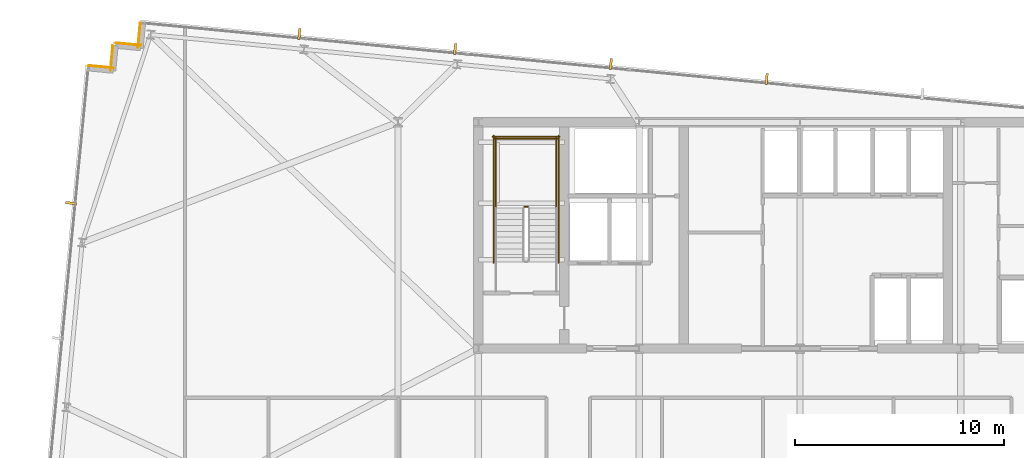
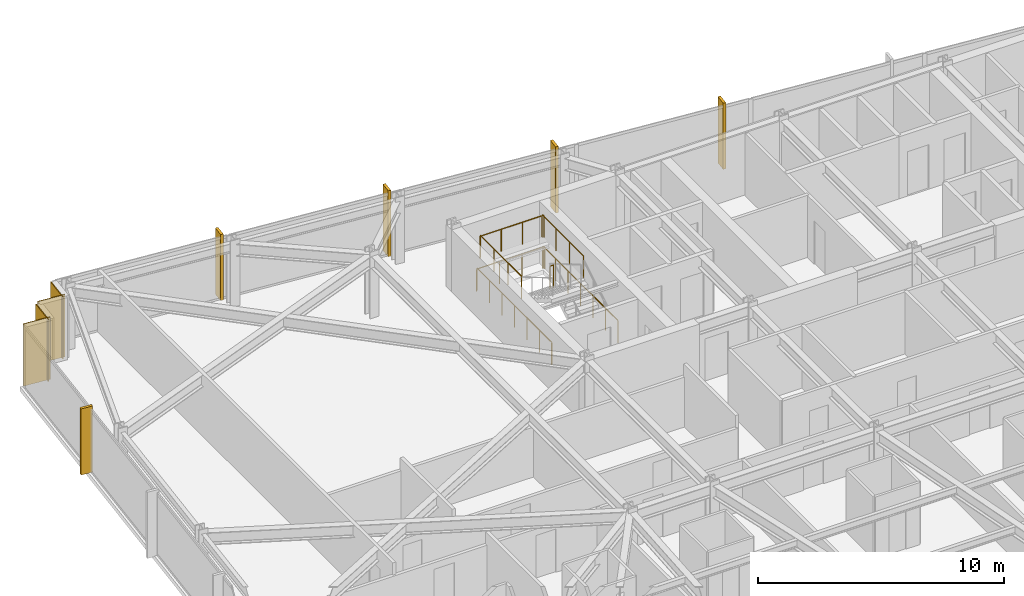
# One storey, part 36 of 37: 7 railings, 5 shading devices, 4 coverings.
"""IFC4 building model written with IfcOpenShell, lengths in metres."""

from ifc_helpers import new_model, si_unit, direction, frame, frame_2d, origin, origin_2d, place, context, subcontext, project, spatial, rectangle, circle, extrude, material, layer, layer_set, type_object, element, save


model = new_model("IFC4")

# Units and contexts
model_context = context("Model", 3, precision=1e-05, world=origin(), true_north=direction((0.0, 1.0)))
body_context = subcontext(model_context, "Body", "Model", "MODEL_VIEW")
ifc_project = project(units=[si_unit("LENGTHUNIT", "METRE"), si_unit("AREAUNIT", "SQUARE_METRE"), si_unit("VOLUMEUNIT", "CUBIC_METRE"), si_unit("PLANEANGLEUNIT", "RADIAN"), si_unit("MASSUNIT", "GRAM", prefix="KILO")], contexts=[model_context])

# Site, building, storey
site_placement = place(None, origin())
site = spatial("IfcSite", under=ifc_project, at=site_placement, CompositionType="ELEMENT")
building_placement = place(site_placement, origin())
building = spatial("IfcBuilding", under=site, at=building_placement, Name="Yelkora Congress Tower", CompositionType="ELEMENT")
storey_placement = place(building_placement, frame((0.0, 0.0, 175.39990234375)))
storey = spatial("IfcBuildingStorey", under=building, at=storey_placement, Name="L48", CompositionType="ELEMENT", Elevation=175.39990234375)

# Coverings
ifc_material_1 = material(Name="Anatolian bush-hammered limestone", Category="masonry")
ifc_layer_1 = layer(ifc_material_1, 0.0400390625)
ifc_layer_set_1 = layer_set([ifc_layer_1], Name="Anatolian bush-hammered limestone")
covering_type = type_object("IfcCoveringType", Name="COV-CLAD-SPANDREL-40", PredefinedType="CLADDING", material=ifc_layer_set_1)
for number, where, z_axis, x_axis, name in (
    (1, (4.423583984375, 48.9130859375, 0.0), (0.0, 0.0, 1.0), (0.995398960025, -0.095817067274, 0.0), "L48 Anatolian Limestone Cladding EW-L48-SR06"),
    (2, (5.470703125, 48.676513671875, 0.0), (0.0, 0.0, 1.0), (0.095817067274, 0.995398960025, 0.0), "L48 Anatolian Limestone Cladding EW-L48-SR07"),
):
    element("IfcCovering", number, at=place(storey_placement, frame(where, z_axis=z_axis, x_axis=x_axis)), inside=storey, type_object=covering_type, Name=name, PredefinedType="CLADDING", context=body_context, shape_type="SweptSolid", body=[
        extrude(rectangle(XDim=1.2001953125, YDim=0.0400390625, at=frame_2d((0.60009765625, 0.0))), origin(), (0.0, 0.0, 1.0), 3.080078125),
    ])
covering_1_placement = place(storey_placement, frame((5.733154296875, 49.992431640625, 0.0), z_axis=(0.0, 0.0, 1.0), x_axis=(0.995397091755, -0.095836473879, 0.0)))
element("IfcCovering", 3, at=covering_1_placement, inside=storey, type_object=covering_type, Name="L48 Anatolian Limestone Cladding EW-L48-SR08", PredefinedType="CLADDING", context=body_context, shape_type="SweptSolid", body=[
    extrude(rectangle(XDim=1.199951171875, YDim=0.0400390625, at=frame_2d((0.60009765625, 0.0))), origin(), (0.0, 0.0, 1.0), 3.080078125),
])
covering_2_placement = place(storey_placement, frame((6.780029296875, 49.756103515625, 0.0), z_axis=(0.0, 0.0, 1.0), x_axis=(0.096018626938, 0.995379537303, 0.0)))
element("IfcCovering", 4, at=covering_2_placement, inside=storey, type_object=covering_type, Name="L48 Anatolian Limestone Cladding EW-L48-SR09", PredefinedType="CLADDING", context=body_context, shape_type="SweptSolid", body=[
    extrude(rectangle(XDim=1.2001953125, YDim=0.0400390625, at=frame_2d((0.60009765625, 0.0))), origin(), (0.0, 0.0, 1.0), 3.080078125),
])

# Railings
ifc_material_2 = material(Name="Painted galvanised steel stair well guard with vertical infill", Category="steel")
ifc_layer_2 = layer(ifc_material_2, 0.06005859375)
ifc_layer_set_2 = layer_set([ifc_layer_2], Name="Painted galvanised steel stair well guard with vertical infill")
railing_type = type_object("IfcRailingType", Name="RAIL-STAIR-GUARD-1120", PredefinedType="GUARDRAIL", material=ifc_layer_set_2)
railing_1_placement = place(storey_placement, frame((25.39990234375, 42.169921875, 1.650146484375)))
element("IfcRailing", 5, at=railing_1_placement, inside=storey, type_object=railing_type, Name="ST-01 L48 Stair Well Guardrail 2", PredefinedType="GUARDRAIL", context=body_context, shape_type="SweptSolid", body=[
    extrude(circle(Radius=0.02392578125, at=origin_2d()), frame((0.0, 0.0, 1.09619140625), z_axis=(-1.0, 0.0, 0.0), x_axis=(0.0, -1.0, 0.0)), (0.0, 0.0, 1.0), 0.159912109375),
    extrude(circle(Radius=0.02099609375, at=origin_2d()), origin(), (0.0, 0.0, 1.0), 1.072021484375),
    extrude(circle(Radius=0.02099609375, at=origin_2d()), frame((-0.159912109375, 0.0, 0.0)), (0.0, 0.0, 1.0), 1.072021484375),
])
for number, where, name in (
    (6, (26.77001953125, 42.1201171875, 1.650146484375), "ST-01 L48 Stair Well Guardrail 3"),
    (7, (23.8701171875, 42.1201171875, 1.650146484375), "ST-01 L48 Stair Well Guardrail 4"),
):
    element("IfcRailing", number, at=place(storey_placement, frame(where)), inside=storey, type_object=railing_type, Name=name, PredefinedType="GUARDRAIL", context=body_context, shape_type="SweptSolid", body=[
        extrude(circle(Radius=0.02392578125, at=origin_2d()), frame((0.0, 0.0, 1.09619140625), z_axis=(0.0, 1.0, 0.0), x_axis=(-1.0, 0.0, 0.0)), (0.0, 0.0, 1.0), 3.349853515625),
        extrude(circle(Radius=0.02099609375, at=origin_2d()), origin(), (0.0, 0.0, 1.0), 1.072021484375),
        extrude(circle(Radius=0.02099609375, at=origin_2d()), frame((0.0, 1.11669921875, 0.0)), (0.0, 0.0, 1.0), 1.072021484375),
        extrude(circle(Radius=0.02099609375, at=origin_2d()), frame((0.0, 2.233154296875, 0.0)), (0.0, 0.0, 1.0), 1.072021484375),
        extrude(circle(Radius=0.02099609375, at=origin_2d()), frame((0.0, 3.349853515625, 0.0)), (0.0, 0.0, 1.0), 1.072021484375),
    ])
railing_2_placement = place(storey_placement, frame((26.820068359375, 45.419921875, 1.650146484375)))
element("IfcRailing", 8, at=railing_2_placement, inside=storey, type_object=railing_type, Name="ST-01 L48 Stair Well Guardrail 5", PredefinedType="GUARDRAIL", context=body_context, shape_type="SweptSolid", body=[
    extrude(circle(Radius=0.02392578125, at=origin_2d()), frame((0.0, 0.0, 1.09619140625), z_axis=(-1.0, 0.0, 0.0), x_axis=(0.0, -1.0, 0.0)), (0.0, 0.0, 1.0), 3.0),
    extrude(circle(Radius=0.02099609375, at=origin_2d()), origin(), (0.0, 0.0, 1.0), 1.072021484375),
    extrude(circle(Radius=0.02099609375, at=origin_2d()), frame((-1.0, 0.0, 0.0)), (0.0, 0.0, 1.0), 1.072021484375),
    extrude(circle(Radius=0.02099609375, at=origin_2d()), frame((-2.0, 0.0, 0.0)), (0.0, 0.0, 1.0), 1.072021484375),
    extrude(circle(Radius=0.02099609375, at=origin_2d()), frame((-3.0, 0.0, 0.0)), (0.0, 0.0, 1.0), 1.072021484375),
])
for number, where, name in (
    (9, (26.8701171875, 39.5, 0.0), "ST-01 L48 Stair Well Guardrail 10"),
    (10, (23.77001953125, 39.5, 0.0), "ST-01 L48 Stair Well Guardrail 11"),
):
    element("IfcRailing", number, at=place(storey_placement, frame(where)), inside=storey, type_object=railing_type, Name=name, PredefinedType="GUARDRAIL", context=body_context, shape_type="SweptSolid", body=[
        extrude(circle(Radius=0.02392578125, at=origin_2d()), frame((0.0, 0.0, 1.09619140625), z_axis=(0.0, 1.0, 0.0), x_axis=(-1.0, 0.0, 0.0)), (0.0, 0.0, 1.0), 6.070068359375),
        extrude(circle(Radius=0.02099609375, at=origin_2d()), origin(), (0.0, 0.0, 1.0), 1.072021484375),
        extrude(circle(Radius=0.02099609375, at=origin_2d()), frame((0.0, 1.01171875, 0.0)), (0.0, 0.0, 1.0), 1.072021484375),
        extrude(circle(Radius=0.02099609375, at=origin_2d()), frame((0.0, 2.0234375, 0.0)), (0.0, 0.0, 1.0), 1.072021484375),
        extrude(circle(Radius=0.02099609375, at=origin_2d()), frame((0.0, 3.03515625, 0.0)), (0.0, 0.0, 1.0), 1.072021484375),
        extrude(circle(Radius=0.02099609375, at=origin_2d()), frame((0.0, 4.046630859375, 0.0)), (0.0, 0.0, 1.0), 1.072021484375),
        extrude(circle(Radius=0.02099609375, at=origin_2d()), frame((0.0, 5.058349609375, 0.0)), (0.0, 0.0, 1.0), 1.072021484375),
        extrude(circle(Radius=0.02099609375, at=origin_2d()), frame((0.0, 6.070068359375, 0.0)), (0.0, 0.0, 1.0), 1.072021484375),
    ])
railing_3_placement = place(storey_placement, frame((26.919921875, 45.52001953125, 0.0)))
element("IfcRailing", 11, at=railing_3_placement, inside=storey, type_object=railing_type, Name="ST-01 L48 Stair Well Guardrail 12", PredefinedType="GUARDRAIL", context=body_context, shape_type="SweptSolid", body=[
    extrude(circle(Radius=0.02392578125, at=origin_2d()), frame((0.0, 0.0, 1.09619140625), z_axis=(-1.0, 0.0, 0.0), x_axis=(0.0, -1.0, 0.0)), (0.0, 0.0, 1.0), 3.199951171875),
    extrude(circle(Radius=0.02099609375, at=origin_2d()), origin(), (0.0, 0.0, 1.0), 1.072021484375),
    extrude(circle(Radius=0.02099609375, at=origin_2d()), frame((-1.066650390625, 0.0, 0.0)), (0.0, 0.0, 1.0), 1.072021484375),
    extrude(circle(Radius=0.02099609375, at=origin_2d()), frame((-2.13330078125, 0.0, 0.0)), (0.0, 0.0, 1.0), 1.072021484375),
    extrude(circle(Radius=0.02099609375, at=origin_2d()), frame((-3.199951171875, 0.0, 0.0)), (0.0, 0.0, 1.0), 1.072021484375),
])

# Shading devices
ifc_material_3 = material(Name="Champagne anodised aluminium", Category="aluminium")
ifc_layer_3 = layer(ifc_material_3, 3.300048828125)
ifc_layer_set_3 = layer_set([ifc_layer_3], Name="Champagne anodised aluminium")
shading_device_type = type_object("IfcShadingDeviceType", Name="SHD-FIN-ALU-520", PredefinedType="USERDEFINED", material=ifc_layer_set_3)
for number, where, z_axis, x_axis, name in (
    (12, (3.590087890625, 42.34375, -0.02978515625), (0.0, 0.0, 1.0), (0.09584575252, 0.995396198367, 0.0), "L48 Vertical Anodised Solar Fin 5-4"),
    (13, (14.48876953125, 50.42041015625, -0.02978515625), (0.0, 0.0, 1.0), (0.995396198367, -0.09584575252, 0.0), "L48 Vertical Anodised Solar Fin 10-1"),
    (14, (21.928466796875, 49.703857421875, -0.02978515625), (0.0, 0.0, 1.0), (0.995396198367, -0.09584575252, 0.0), "L48 Vertical Anodised Solar Fin 10-2"),
    (15, (29.368408203125, 48.987548828125, -0.02978515625), (0.0, 0.0, 1.0), (0.995396198367, -0.09584575252, 0.0), "L48 Vertical Anodised Solar Fin 10-3"),
    (16, (36.808349609375, 48.271240234375, -0.02978515625), (0.0, 0.0, 1.0), (0.995396198367, -0.09584575252, 0.0), "L48 Vertical Anodised Solar Fin 10-4"),
):
    element("IfcShadingDevice", number, at=place(storey_placement, frame(where, z_axis=z_axis, x_axis=x_axis)), inside=storey, type_object=shading_device_type, Name=name, ObjectType="FIN", PredefinedType="USERDEFINED", context=body_context, shape_type="SweptSolid", body=[
        extrude(rectangle(XDim=0.1201171875, YDim=0.52001953125, at=origin_2d()), origin(), (0.0, 0.0, 1.0), 3.280029296875),
    ])

save(model, "model.ifc")
